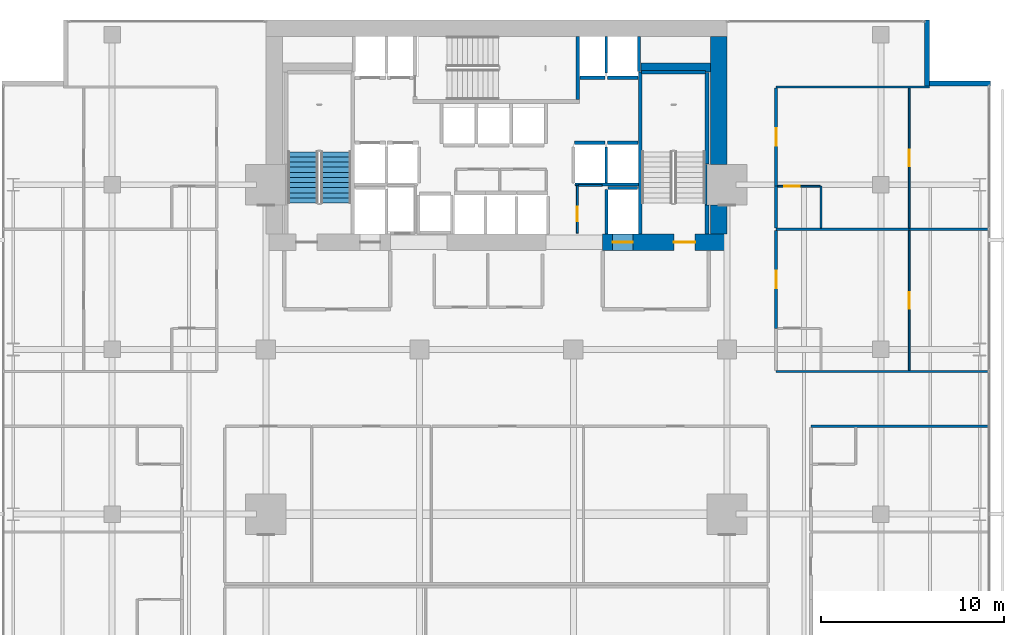
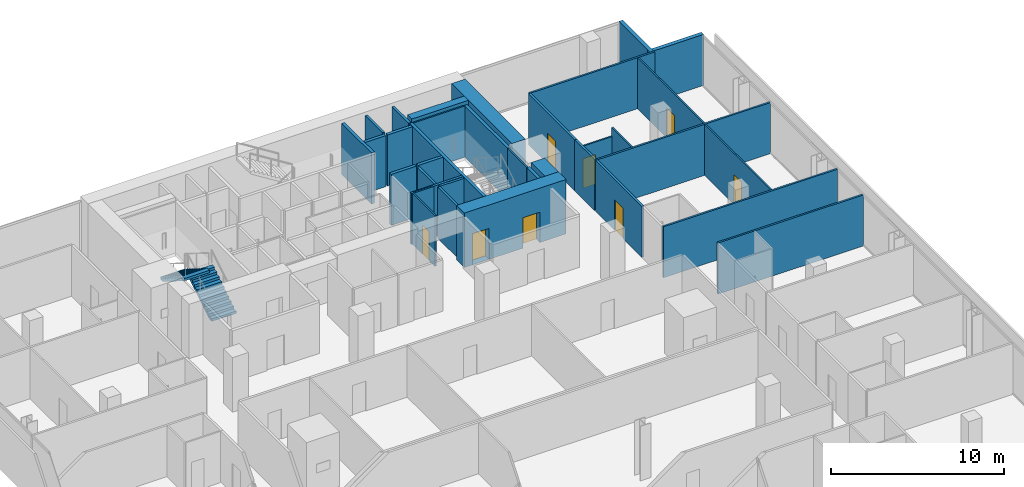
# One storey, part 37 of 40: 35 walls, 8 doors, 2 stair flights, 8 openings, 1 element without a shape of its own.
"""IFC4 building model written with IfcOpenShell, lengths in metres."""

from ifc_helpers import new_model, si_unit, direction, frame, frame_2d, origin, place, context, subcontext, project, spatial, polyline, rectangle, outline, extrude, material, layer, layer_set, type_object, element, fill, aggregate, save


model = new_model("IFC4")

# Units and contexts
model_context = context("Model", 3, precision=1e-05, world=origin(), true_north=direction((0.0, 1.0)))
body_context = subcontext(model_context, "Body", "Model", "MODEL_VIEW")
ifc_project = project(units=[si_unit("LENGTHUNIT", "METRE"), si_unit("AREAUNIT", "SQUARE_METRE"), si_unit("VOLUMEUNIT", "CUBIC_METRE"), si_unit("PLANEANGLEUNIT", "RADIAN"), si_unit("MASSUNIT", "GRAM", prefix="KILO")], contexts=[model_context])

# Site, building, storey
site_placement = place(None, origin())
site = spatial("IfcSite", under=ifc_project, at=site_placement, CompositionType="ELEMENT")
building_placement = place(site_placement, origin())
building = spatial("IfcBuilding", under=site, at=building_placement, Name="Maruvema Waterfront Hotel and Observation Tower", CompositionType="ELEMENT")
storey_placement = place(building_placement, frame((0.0, 0.0, 96.25)))
storey = spatial("IfcBuildingStorey", under=building, at=storey_placement, Name="L23", CompositionType="ELEMENT", Elevation=96.25)

# Wall, opening, door
ifc_material_1 = material(Name="Twin-stud acoustic gypsum drywall", Category="gypsum")
ifc_layer_1 = layer(ifc_material_1, 0.14990234375, Name="Acoustic Corridor and Suite Demising Wall 150 mm")
ifc_layer_set_1 = layer_set([ifc_layer_1], Name="Twin-stud acoustic gypsum drywall")
wall_type_1 = type_object("IfcWallType", Name="Acoustic Corridor and Suite Demising Wall 150 mm", PredefinedType="PARTITIONING", material=ifc_layer_set_1)
wall_1_placement = place(storey_placement, frame((53.080078125, 37.14990234375, 0.0), z_axis=(0.0, 0.0, 1.0), x_axis=(0.0, 1.0, 0.0)))
wall_1 = element("IfcWall", 1, at=wall_1_placement, inside=storey, type_object=wall_type_1, Name="L23 Room L23-NE1 Corridor Wall 109", PredefinedType="PARTITIONING", context=body_context, shape_type="SweptSolid", body=[
    extrude(rectangle(XDim=5.35888671875, YDim=0.14990234375, at=frame_2d((2.679443359375, 0.0))), origin(), (0.0, 0.0, 1.0), 3.610107421875),
])
opening_1_placement = place(wall_1_placement, frame((2.204345703125, 0.0, 0.0)))
opening_1 = element("IfcOpeningElement", 2, at=opening_1_placement, cuts=wall_1, Name="Opening DR-095", PredefinedType="OPENING", context=body_context, shape_type="SweptSolid", body=[
    extrude(rectangle(XDim=0.949951171875, YDim=2.14990234375, at=frame_2d((0.47509765625, 1.074951171875))), frame((0.0, 0.0849609375, 0.0), z_axis=(0.0, -1.0, 0.0), x_axis=(1.0, 0.0, 0.0)), (0.0, 0.0, 1.0), 0.169921875),
])
ifc_material_2 = material(Name="Acoustic solid-core hardwood timber leaf", Category="wood")
door_type_1 = type_object("IfcDoorType", Name="Guestroom Entrance Fire Door 950x2150 mm", OperationType="NOTDEFINED", PredefinedType="DOOR", material=ifc_material_2)
door_1_placement = place(opening_1_placement, frame((0.949951171875, 0.0, 0.0), z_axis=(0.0, 0.0, 1.0), x_axis=(-1.0, 0.0, 0.0)))
door_1 = element("IfcDoor", 3, at=door_1_placement, inside=storey, type_object=door_type_1, Name="L23 Room L23-NE1 Entrance Door", OperationType="SINGLE_SWING_LEFT", OverallHeight=2.14990234375, OverallWidth=0.949951171875, PredefinedType="DOOR", context=body_context, shape_type="SweptSolid", body=[
    extrude(rectangle(XDim=0.949951171875, YDim=2.14990234375, at=frame_2d((0.47509765625, 1.074951171875))), frame((0.0, 0.02490234375, 0.0), z_axis=(0.0, -1.0, 0.0), x_axis=(1.0, 0.0, 0.0)), (0.0, 0.0, 1.0), 0.050048828125),
])
fill(opening_1, door_1)

# Wall
wall_2_placement = place(storey_placement, frame((53.080078125, 42.628662109375, 0.0), z_axis=(0.0, 0.0, 1.0), x_axis=(0.0, 1.0, 0.0)))
element("IfcWall", 4, at=wall_2_placement, inside=storey, type_object=wall_type_1, Name="L23 Bath L23-NE2 Wall 120", PredefinedType="PARTITIONING", context=body_context, shape_type="SweptSolid", body=[
    extrude(rectangle(XDim=2.2900390625, YDim=0.14990234375, at=frame_2d((1.14501953125, 0.0))), origin(), (0.0, 0.0, 1.0), 3.610107421875),
])

# Wall, opening, door
wall_3_placement = place(storey_placement, frame((53.080078125, 44.918701171875, 0.0), z_axis=(0.0, 0.0, 1.0), x_axis=(0.0, 1.0, 0.0)))
wall_3 = element("IfcWall", 5, at=wall_3_placement, inside=storey, type_object=wall_type_1, Name="L23 Room L23-NE2 Corridor Wall 121", PredefinedType="PARTITIONING", context=body_context, shape_type="SweptSolid", body=[
    extrude(rectangle(XDim=5.35888671875, YDim=0.14990234375, at=frame_2d((2.679443359375, 0.0))), origin(), (0.0, 0.0, 1.0), 3.610107421875),
])
opening_2_placement = place(wall_3_placement, frame((2.204345703125, 0.0, 0.0)))
opening_2 = element("IfcOpeningElement", 6, at=opening_2_placement, cuts=wall_3, Name="Opening DR-095", PredefinedType="OPENING", context=body_context, shape_type="SweptSolid", body=[
    extrude(rectangle(XDim=0.949951171875, YDim=2.14990234375, at=frame_2d((0.47509765625, 1.074951171875))), frame((0.0, 0.0849609375, 0.0), z_axis=(0.0, -1.0, 0.0), x_axis=(1.0, 0.0, 0.0)), (0.0, 0.0, 1.0), 0.169921875),
])
door_2_placement = place(opening_2_placement, frame((0.949951171875, 0.0, 0.0), z_axis=(0.0, 0.0, 1.0), x_axis=(-1.0, 0.0, 0.0)))
door_2 = element("IfcDoor", 7, at=door_2_placement, inside=storey, type_object=door_type_1, Name="L23 Room L23-NE2 Entrance Door", OperationType="SINGLE_SWING_LEFT", OverallHeight=2.14990234375, OverallWidth=0.949951171875, PredefinedType="DOOR", context=body_context, shape_type="SweptSolid", body=[
    extrude(rectangle(XDim=0.949951171875, YDim=2.14990234375, at=frame_2d((0.47509765625, 1.074951171875))), frame((0.0, 0.02490234375, 0.0), z_axis=(0.0, -1.0, 0.0), x_axis=(1.0, 0.0, 0.0)), (0.0, 0.0, 1.0), 0.050048828125),
])
fill(opening_2, door_2)

# Walls
ifc_material_3 = material(Name="Precast concrete C45/55", Category="concrete")
ifc_layer_2 = layer(ifc_material_3, 0.199951171875, Name="Core Shaft and Stairwell Enclosure Wall 200 mm")
ifc_layer_set_2 = layer_set([ifc_layer_2], Name="Precast concrete C45/55")
wall_type_2 = type_object("IfcWallType", Name="Core Shaft and Stairwell Enclosure Wall 200 mm", PredefinedType="SOLIDWALL", material=ifc_layer_set_2)
wall_4_placement = place(storey_placement, frame((42.25, 49.64990234375, 0.0), z_axis=(0.0, 0.0, 1.0), x_axis=(0.0, 1.0, 0.0)))
element("IfcWall", 8, at=wall_4_placement, inside=storey, type_object=wall_type_2, Name="L23 Stairwell ST-02 Shaft Wall", PredefinedType="SOLIDWALL", context=body_context, shape_type="SweptSolid", body=[
    extrude(rectangle(XDim=3.4501953125, YDim=0.199951171875, at=frame_2d((1.72509765625, 0.0))), origin(), (0.0, 0.0, 1.0), 3.610107421875),
])
wall_5_placement = place(storey_placement, frame((45.64990234375, 42.300048828125, 0.0), z_axis=(0.0, 0.0, 1.0), x_axis=(0.0, 1.0, 0.0)))
element("IfcWall", 9, at=wall_5_placement, inside=storey, type_object=wall_type_2, Name="L23 Stairwell ST-03 West Shaft Wall", PredefinedType="SOLIDWALL", context=body_context, shape_type="SweptSolid", body=[
    extrude(rectangle(XDim=8.849853515625, YDim=0.199951171875, at=frame_2d((4.4248046875, 0.0))), origin(), (0.0, 0.0, 1.0), 3.610107421875),
])
wall_6_placement = place(storey_placement, frame((49.300048828125, 42.300048828125, 0.0), z_axis=(0.0, 0.0, 1.0), x_axis=(0.0, 1.0, 0.0)))
element("IfcWall", 10, at=wall_6_placement, inside=storey, type_object=wall_type_2, Name="L23 Stairwell ST-03 Shaft Lining Wall", PredefinedType="SOLIDWALL", context=body_context, shape_type="SweptSolid", body=[
    extrude(rectangle(XDim=1.579833984375, YDim=0.199951171875, at=frame_2d((0.7900390625, 0.0))), origin(), (0.0, 0.0, 1.0), 3.610107421875),
])
wall_7_placement = place(storey_placement, frame((49.300048828125, 46.1201171875, 0.0), z_axis=(0.0, 0.0, 1.0), x_axis=(0.0, 1.0, 0.0)))
element("IfcWall", 11, at=wall_7_placement, inside=storey, type_object=wall_type_2, Name="L23 Stairwell ST-03 Shaft Lining Wall", PredefinedType="SOLIDWALL", context=body_context, shape_type="SweptSolid", body=[
    extrude(rectangle(XDim=5.0, YDim=0.199951171875, at=frame_2d((2.5, 0.0))), origin(), (0.0, 0.0, 1.0), 3.610107421875),
])
wall_8_placement = place(storey_placement, frame((45.719970703125, 51.14990234375, 0.0), z_axis=(0.0, 0.0, 1.0), x_axis=(1.0, 0.0, 0.0)))
element("IfcWall", 12, at=wall_8_placement, inside=storey, type_object=wall_type_2, Name="L23 Stairwell ST-03 Shaft Lining Wall", PredefinedType="SOLIDWALL", context=body_context, shape_type="SweptSolid", body=[
    extrude(rectangle(XDim=3.5, YDim=0.199951171875, at=frame_2d((1.75, 0.0))), origin(), (0.0, 0.0, 1.0), 3.610107421875),
])
for number, where, z_axis, x_axis, name in (
    (13, (42.06005859375, 47.300048828125, 0.0), (0.0, 0.0, 1.0), (1.0, 0.0, 0.0), "L23 Lift LF-05 Hoistway Front Wall"),
    (14, (43.860107421875, 47.300048828125, 0.0), (0.0, 0.0, 1.0), (1.0, 0.0, 0.0), "L23 Lift LF-06 Hoistway Front Wall"),
):
    element("IfcWall", number, at=place(storey_placement, frame(where, z_axis=z_axis, x_axis=x_axis)), inside=storey, type_object=wall_type_2, Name=name, PredefinedType="SOLIDWALL", context=body_context, shape_type="SweptSolid", body=[
        extrude(rectangle(XDim=1.679931640625, YDim=0.199951171875, at=frame_2d((0.83984375, 0.0))), origin(), (0.0, 0.0, 1.0), 3.610107421875),
    ])
wall_9_placement = place(storey_placement, frame((42.360107421875, 50.85009765625, 0.0), z_axis=(0.0, 0.0, 1.0), x_axis=(1.0, 0.0, 0.0)))
element("IfcWall", 15, at=wall_9_placement, inside=storey, type_object=wall_type_2, Name="L23 Lift LF-07 Hoistway Front Wall", PredefinedType="SOLIDWALL", context=body_context, shape_type="SweptSolid", body=[
    extrude(rectangle(XDim=1.3798828125, YDim=0.199951171875, at=frame_2d((0.68994140625, 0.0))), origin(), (0.0, 0.0, 1.0), 3.610107421875),
])
wall_10_placement = place(storey_placement, frame((43.860107421875, 50.85009765625, 0.0), z_axis=(0.0, 0.0, 1.0), x_axis=(1.0, 0.0, 0.0)))
element("IfcWall", 16, at=wall_10_placement, inside=storey, type_object=wall_type_2, Name="L23 Lift LF-08 Hoistway Front Wall", PredefinedType="SOLIDWALL", context=body_context, shape_type="SweptSolid", body=[
    extrude(rectangle(XDim=1.679931640625, YDim=0.199951171875, at=frame_2d((0.83984375, 0.0))), origin(), (0.0, 0.0, 1.0), 3.610107421875),
])
ifc_material_4 = material(Name="Concrete C70/85", Category="concrete")
ifc_layer_3 = layer(ifc_material_4, 0.5, Name="Core Shear Wall 500 mm")
ifc_layer_set_3 = layer_set([ifc_layer_3], Name="Concrete C70/85")
wall_type_3 = type_object("IfcWallType", Name="Core Shear Wall 500 mm", PredefinedType="SHEAR", material=ifc_layer_set_3)
wall_11_placement = place(storey_placement, frame((45.699951171875, 51.39990234375, 0.0), z_axis=(0.0, 0.0, 1.0), x_axis=(1.0, 0.0, 0.0)))
element("IfcWall", 17, at=wall_11_placement, inside=storey, type_object=wall_type_3, Name="L23 Internal Core Shear Wall NE 500 mm", PredefinedType="SHEAR", context=body_context, shape_type="SweptSolid", body=[
    extrude(rectangle(XDim=3.800048828125, YDim=0.5, at=frame_2d((1.89990234375, 0.0))), origin(), (0.0, 0.0, 1.0), 3.85009765625),
])

# Wall, openings, doors
ifc_material_5 = material(Name="Concrete C80/95", Category="concrete")
ifc_layer_4 = layer(ifc_material_5, 0.89990234375, Name="Core Shear Wall 900 mm")
ifc_layer_set_4 = layer_set([ifc_layer_4], Name="Concrete C80/95")
wall_type_4 = type_object("IfcWallType", Name="Core Shear Wall 900 mm", PredefinedType="SHEAR", material=ifc_layer_set_4)
wall_12_placement = place(storey_placement, frame((43.60009765625, 41.85009765625, 0.0), z_axis=(0.0, 0.0, 1.0), x_axis=(1.0, 0.0, 0.0)))
wall_12 = element("IfcWall", 18, at=wall_12_placement, inside=storey, type_object=wall_type_4, Name="L23 South-East Core Shear Wall", PredefinedType="SHEAR", context=body_context, shape_type="SweptSolid", body=[
    extrude(rectangle(XDim=6.7998046875, YDim=0.89990234375, at=frame_2d((3.39990234375, 0.0))), origin(), (0.0, 0.0, 1.0), 3.85009765625),
])
opening_3_placement = place(wall_12_placement, frame((3.89990234375, 0.0, 0.0)))
opening_3 = element("IfcOpeningElement", 19, at=opening_3_placement, cuts=wall_12, Name="Opening SD-01", PredefinedType="OPENING", context=body_context, shape_type="SweptSolid", body=[
    extrude(rectangle(XDim=1.14990234375, YDim=2.14990234375, at=frame_2d((0.574951171875, 1.074951171875))), frame((0.0, 0.4599609375, 0.0), z_axis=(0.0, -1.0, 0.0), x_axis=(1.0, 0.0, 0.0)), (0.0, 0.0, 1.0), 0.919921875),
])
opening_4_placement = place(wall_12_placement, frame((0.550048828125, 0.0, 0.0)))
opening_4 = element("IfcOpeningElement", 20, at=opening_4_placement, cuts=wall_12, Name="Opening LD-03", PredefinedType="OPENING", context=body_context, shape_type="SweptSolid", body=[
    extrude(rectangle(XDim=1.10009765625, YDim=2.199951171875, at=frame_2d((0.550048828125, 1.10009765625))), frame((0.0, 0.4599609375, 0.0), z_axis=(0.0, -1.0, 0.0), x_axis=(1.0, 0.0, 0.0)), (0.0, 0.0, 1.0), 0.919921875),
])
ifc_material_6 = material(Name="Fire-rated galvanised steel leaf", Category="steel")
door_type_2 = type_object("IfcDoorType", Name="Exit Stair Fire Door 1150x2150 mm", OperationType="NOTDEFINED", PredefinedType="DOOR", material=ifc_material_6)
door_3_placement = place(opening_3_placement, origin())
door_3 = element("IfcDoor", 21, at=door_3_placement, inside=storey, type_object=door_type_2, Name="L23 Exit Stair ST-03 Fire Door", OperationType="SINGLE_SWING_RIGHT", OverallHeight=2.14990234375, OverallWidth=1.14990234375, PredefinedType="DOOR", context=body_context, shape_type="SweptSolid", body=[
    extrude(rectangle(XDim=1.14990234375, YDim=2.14990234375, at=frame_2d((0.574951171875, 1.074951171875))), frame((0.0, 0.02490234375, 0.0), z_axis=(0.0, -1.0, 0.0), x_axis=(1.0, 0.0, 0.0)), (0.0, 0.0, 1.0), 0.050048828125),
])
fill(opening_3, door_3)
ifc_material_7 = material(Name="Brushed stainless steel Grade 316", Category="steel")
door_type_3 = type_object("IfcDoorType", Name="Firefighting Lift Sliding Landing Door 1100x2200 mm", OperationType="SLIDING_TO_LEFT", PredefinedType="DOOR", material=ifc_material_7)
door_4_placement = place(opening_4_placement, frame((1.10009765625, 0.0, 0.0), z_axis=(0.0, 0.0, 1.0), x_axis=(-1.0, 0.0, 0.0)))
door_4 = element("IfcDoor", 22, at=door_4_placement, inside=storey, type_object=door_type_3, Name="L23 Firefighting Lift FL-02 Landing Door", OperationType="SLIDING_TO_LEFT", OverallHeight=2.199951171875, OverallWidth=1.10009765625, PredefinedType="DOOR", context=body_context, shape_type="SweptSolid", body=[
    extrude(rectangle(XDim=1.10009765625, YDim=2.199951171875, at=frame_2d((0.550048828125, 1.10009765625))), frame((0.0, 0.02490234375, 0.0), z_axis=(0.0, -1.0, 0.0), x_axis=(1.0, 0.0, 0.0)), (0.0, 0.0, 1.0), 0.050048828125),
])
fill(opening_4, door_4)

# Walls
wall_13_placement = place(storey_placement, frame((49.949951171875, 42.300048828125, 0.0), z_axis=(0.0, 0.0, 1.0), x_axis=(0.0, 1.0, 0.0)))
element("IfcWall", 23, at=wall_13_placement, inside=storey, type_object=wall_type_4, Name="L23 East-South Core Shear Wall", PredefinedType="SHEAR", context=body_context, shape_type="SweptSolid", body=[
    extrude(rectangle(XDim=1.599853515625, YDim=0.89990234375, at=frame_2d((0.7998046875, 0.0))), origin(), (0.0, 0.0, 1.0), 3.85009765625),
])
wall_14_placement = place(storey_placement, frame((49.949951171875, 46.10009765625, 0.0), z_axis=(0.0, 0.0, 1.0), x_axis=(0.0, 1.0, 0.0)))
element("IfcWall", 24, at=wall_14_placement, inside=storey, type_object=wall_type_4, Name="L23 East-North Core Shear Wall", PredefinedType="SHEAR", context=body_context, shape_type="SweptSolid", body=[
    extrude(rectangle(XDim=7.0, YDim=0.89990234375, at=frame_2d((3.5, 0.0))), origin(), (0.0, 0.0, 1.0), 3.85009765625),
])

# Wall, opening, door
ifc_material_8 = material(Name="Moisture-resistant cement-board drywall", Category="gypsum")
ifc_layer_5 = layer(ifc_material_8, 0.10009765625, Name="En-Suite Moisture-Resistant Partition 100 mm")
ifc_layer_set_5 = layer_set([ifc_layer_5], Name="Moisture-resistant cement-board drywall")
wall_type_5 = type_object("IfcWallType", Name="En-Suite Moisture-Resistant Partition 100 mm", PredefinedType="PARTITIONING", material=ifc_layer_set_5)
wall_15_placement = place(storey_placement, frame((42.219970703125, 42.35009765625, 0.0), z_axis=(0.0, 0.0, 1.0), x_axis=(0.0, 1.0, 0.0)))
wall_15 = element("IfcWall", 25, at=wall_15_placement, inside=storey, type_object=wall_type_5, Name="L23 Core Closet K2C West 015", PredefinedType="PARTITIONING", context=body_context, shape_type="SweptSolid", body=[
    extrude(rectangle(XDim=2.60986328125, YDim=0.10009765625, at=frame_2d((1.304931640625, 0.0))), origin(), (0.0, 0.0, 1.0), 3.610107421875),
])
opening_5_placement = place(wall_15_placement, frame((0.64990234375, 0.0, 0.0)))
opening_5 = element("IfcOpeningElement", 26, at=opening_5_placement, cuts=wall_15, Name="Opening DR-080", PredefinedType="OPENING", context=body_context, shape_type="SweptSolid", body=[
    extrude(rectangle(XDim=0.800048828125, YDim=2.050048828125, at=frame_2d((0.39990234375, 1.02490234375))), frame((0.0, 0.06005859375, 0.0), z_axis=(0.0, -1.0, 0.0), x_axis=(1.0, 0.0, 0.0)), (0.0, 0.0, 1.0), 0.1201171875),
])
ifc_material_9 = material(Name="Powder-coated steel access leaf", Category="steel")
door_type_4 = type_object("IfcDoorType", Name="Riser and Service Cupboard Door 800x2050 mm", OperationType="NOTDEFINED", PredefinedType="DOOR", material=ifc_material_9)
door_5_placement = place(opening_5_placement, frame((0.800048828125, 0.0, 0.0), z_axis=(0.0, 0.0, 1.0), x_axis=(-1.0, 0.0, 0.0)))
door_5 = element("IfcDoor", 27, at=door_5_placement, inside=storey, type_object=door_type_4, Name="L23 Core Housekeeping Closet Door", OperationType="SINGLE_SWING_RIGHT", OverallHeight=2.050048828125, OverallWidth=0.800048828125, PredefinedType="DOOR", context=body_context, shape_type="SweptSolid", body=[
    extrude(rectangle(XDim=0.800048828125, YDim=2.050048828125, at=frame_2d((0.39990234375, 1.02490234375))), frame((0.0, 0.02490234375, 0.0), z_axis=(0.0, -1.0, 0.0), x_axis=(1.0, 0.0, 0.0)), (0.0, 0.0, 1.0), 0.050048828125),
])
fill(opening_5, door_5)

# Wall
wall_16_placement = place(storey_placement, frame((42.280029296875, 44.9599609375, 0.0), z_axis=(0.0, 0.0, 1.0), x_axis=(1.0, 0.0, 0.0)))
element("IfcWall", 28, at=wall_16_placement, inside=storey, type_object=wall_type_5, Name="L23 Core Closet K2C North 016", PredefinedType="PARTITIONING", context=body_context, shape_type="SweptSolid", body=[
    extrude(rectangle(XDim=1.300048828125, YDim=0.10009765625, at=frame_2d((0.64990234375, 0.0))), origin(), (0.0, 0.0, 1.0), 3.610107421875),
])

# Wall, opening, door
wall_17_placement = place(storey_placement, frame((60.350341796875, 34.860107421875, 0.0), z_axis=(0.0, 0.0, 1.0), x_axis=(0.0, 1.0, 0.0)))
wall_17 = element("IfcWall", 29, at=wall_17_placement, inside=storey, type_object=wall_type_5, Name="L23 Suite L23-NE1 Split 112", PredefinedType="PARTITIONING", context=body_context, shape_type="SweptSolid", body=[
    extrude(rectangle(XDim=7.648681640625, YDim=0.10009765625, at=frame_2d((3.82421875, 0.0))), origin(), (0.0, 0.0, 1.0), 3.610107421875),
])
opening_6_placement = place(wall_17_placement, frame((3.374267578125, 0.0, 0.0)))
opening_6 = element("IfcOpeningElement", 30, at=opening_6_placement, cuts=wall_17, Name="Opening DR-090", PredefinedType="OPENING", context=body_context, shape_type="SweptSolid", body=[
    extrude(rectangle(XDim=0.89990234375, YDim=2.10009765625, at=frame_2d((0.449951171875, 1.050048828125))), frame((0.0, 0.06005859375, 0.0), z_axis=(0.0, -1.0, 0.0), x_axis=(1.0, 0.0, 0.0)), (0.0, 0.0, 1.0), 0.1201171875),
])
ifc_material_10 = material(Name="Solid-core lacquered timber leaf", Category="wood")
door_type_5 = type_object("IfcDoorType", Name="Accessible Toilet and Room Door 900x2100 mm", OperationType="NOTDEFINED", PredefinedType="DOOR", material=ifc_material_10)
door_6_placement = place(opening_6_placement, frame((0.89990234375, 0.0, 0.0), z_axis=(0.0, 0.0, 1.0), x_axis=(-1.0, 0.0, 0.0)))
door_6 = element("IfcDoor", 31, at=door_6_placement, inside=storey, type_object=door_type_5, Name="L23 Suite L23-NE1 Bedroom Door", OperationType="SINGLE_SWING_RIGHT", OverallHeight=2.10009765625, OverallWidth=0.89990234375, PredefinedType="DOOR", context=body_context, shape_type="SweptSolid", body=[
    extrude(rectangle(XDim=0.89990234375, YDim=2.10009765625, at=frame_2d((0.449951171875, 1.050048828125))), frame((0.0, 0.02490234375, 0.0), z_axis=(0.0, -1.0, 0.0), x_axis=(1.0, 0.0, 0.0)), (0.0, 0.0, 1.0), 0.050048828125),
])
fill(opening_6, door_6)

# Wall
wall_18_placement = place(storey_placement, frame((55.530029296875, 42.628662109375, 0.0), z_axis=(0.0, 0.0, 1.0), x_axis=(0.0, 1.0, 0.0)))
element("IfcWall", 32, at=wall_18_placement, inside=storey, type_object=wall_type_5, Name="L23 En-Suite L23-NE2 E 122", PredefinedType="PARTITIONING", context=body_context, shape_type="SweptSolid", body=[
    extrude(rectangle(XDim=2.2900390625, YDim=0.10009765625, at=frame_2d((1.14501953125, 0.0))), origin(), (0.0, 0.0, 1.0), 3.610107421875),
])

# Wall, opening, door
wall_19_placement = place(storey_placement, frame((53.179931640625, 44.918701171875, 0.0), z_axis=(0.0, 0.0, 1.0), x_axis=(1.0, 0.0, 0.0)))
wall_19 = element("IfcWall", 33, at=wall_19_placement, inside=storey, type_object=wall_type_5, Name="L23 En-Suite L23-NE2 N 123", PredefinedType="PARTITIONING", context=body_context, shape_type="SweptSolid", body=[
    extrude(rectangle(XDim=2.300048828125, YDim=0.10009765625, at=frame_2d((1.14990234375, 0.0))), origin(), (0.0, 0.0, 1.0), 2.9990234375),
])
opening_7_placement = place(wall_19_placement, frame((0.35009765625, 0.0, 0.0)))
opening_7 = element("IfcOpeningElement", 34, at=opening_7_placement, cuts=wall_19, Name="Opening DR-085", PredefinedType="OPENING", context=body_context, shape_type="SweptSolid", body=[
    extrude(rectangle(XDim=0.85009765625, YDim=2.10009765625, at=frame_2d((0.425048828125, 1.050048828125))), frame((0.0, 0.06005859375, 0.0), z_axis=(0.0, -1.0, 0.0), x_axis=(1.0, 0.0, 0.0)), (0.0, 0.0, 1.0), 0.1201171875),
])
ifc_material_11 = material(Name="Moisture-resistant solid timber leaf", Category="wood")
door_type_6 = type_object("IfcDoorType", Name="En-Suite Bathroom Door 850x2100 mm", OperationType="NOTDEFINED", PredefinedType="DOOR", material=ifc_material_11)
door_7_placement = place(opening_7_placement, origin())
door_7 = element("IfcDoor", 35, at=door_7_placement, inside=storey, type_object=door_type_6, Name="L23 En-Suite L23-NE2 Door", OperationType="SINGLE_SWING_RIGHT", OverallHeight=2.10009765625, OverallWidth=0.85009765625, PredefinedType="DOOR", context=body_context, shape_type="SweptSolid", body=[
    extrude(rectangle(XDim=0.85009765625, YDim=2.10009765625, at=frame_2d((0.425048828125, 1.050048828125))), frame((0.0, 0.02490234375, 0.0), z_axis=(0.0, -1.0, 0.0), x_axis=(1.0, 0.0, 0.0)), (0.0, 0.0, 1.0), 0.050048828125),
])
fill(opening_7, door_7)

wall_20_placement = place(storey_placement, frame((60.350341796875, 42.628662109375, 0.0), z_axis=(0.0, 0.0, 1.0), x_axis=(0.0, 1.0, 0.0)))
wall_20 = element("IfcWall", 36, at=wall_20_placement, inside=storey, type_object=wall_type_5, Name="L23 Suite L23-NE2 Split 124", PredefinedType="PARTITIONING", context=body_context, shape_type="SweptSolid", body=[
    extrude(rectangle(XDim=7.64892578125, YDim=0.10009765625, at=frame_2d((3.824462890625, 0.0))), origin(), (0.0, 0.0, 1.0), 3.610107421875),
])
opening_8_placement = place(wall_20_placement, frame((3.37451171875, 0.0, 0.0)))
opening_8 = element("IfcOpeningElement", 37, at=opening_8_placement, cuts=wall_20, Name="Opening DR-090", PredefinedType="OPENING", context=body_context, shape_type="SweptSolid", body=[
    extrude(rectangle(XDim=0.89990234375, YDim=2.10009765625, at=frame_2d((0.449951171875, 1.050048828125))), frame((0.0, 0.06005859375, 0.0), z_axis=(0.0, -1.0, 0.0), x_axis=(1.0, 0.0, 0.0)), (0.0, 0.0, 1.0), 0.1201171875),
])
door_8_placement = place(opening_8_placement, frame((0.89990234375, 0.0, 0.0), z_axis=(0.0, 0.0, 1.0), x_axis=(-1.0, 0.0, 0.0)))
door_8 = element("IfcDoor", 38, at=door_8_placement, inside=storey, type_object=door_type_5, Name="L23 Suite L23-NE2 Bedroom Door", OperationType="SINGLE_SWING_RIGHT", OverallHeight=2.10009765625, OverallWidth=0.89990234375, PredefinedType="DOOR", context=body_context, shape_type="SweptSolid", body=[
    extrude(rectangle(XDim=0.89990234375, YDim=2.10009765625, at=frame_2d((0.449951171875, 1.050048828125))), frame((0.0, 0.02490234375, 0.0), z_axis=(0.0, -1.0, 0.0), x_axis=(1.0, 0.0, 0.0)), (0.0, 0.0, 1.0), 0.050048828125),
])
fill(opening_8, door_8)

# Walls
ifc_material_12 = material(Name="Precast concrete C45/55 with honed Pernambuco granite facing", Category="masonry")
ifc_layer_6 = layer(ifc_material_12, 0.260009765625, Name="Exterior Granite Clad Spandrel and Pier Wall 260 mm")
ifc_layer_set_6 = layer_set([ifc_layer_6], Name="Precast concrete C45/55 with honed Pernambuco granite facing")
wall_type_6 = type_object("IfcWallType", Name="Exterior Granite Clad Spandrel and Pier Wall 260 mm", PredefinedType="SOLIDWALL", material=ifc_layer_set_6)
for number, where, z_axis, x_axis, name in (
    (39, (61.330078125, 54.0, 0.0), (0.0, 0.0, 1.0), (0.0, -1.0, 0.0), "L23 Corner Notch Granite Pier Wall NE1"),
    (40, (61.199951171875, 50.530029296875, 0.0), (0.0, 0.0, 1.0), (1.0, 0.0, 0.0), "L23 Corner Notch Granite Pier Wall NE2"),
):
    element("IfcWall", number, at=place(storey_placement, frame(where, z_axis=z_axis, x_axis=x_axis)), inside=storey, type_object=wall_type_6, Name=name, PredefinedType="SOLIDWALL", context=body_context, shape_type="SweptSolid", body=[
        extrude(rectangle(XDim=3.60009765625, YDim=0.260009765625, at=frame_2d((1.800048828125, 0.0))), origin(), (0.0, 0.0, 1.0), 3.610107421875),
    ])
ifc_material_13 = material(Name="Acoustic gypsum plasterboard drywall", Category="gypsum")
ifc_layer_7 = layer(ifc_material_13, 0.125, Name="Guestroom Acoustic Demising Wall 125 mm")
ifc_layer_set_7 = layer_set([ifc_layer_7], Name="Acoustic gypsum plasterboard drywall")
wall_type_7 = type_object("IfcWallType", Name="Guestroom Acoustic Demising Wall 125 mm", PredefinedType="PARTITIONING", material=ifc_layer_set_7)
wall_21_placement = place(storey_placement, frame((54.97998046875, 31.800048828125, 0.0), z_axis=(0.0, 0.0, 1.0), x_axis=(1.0, 0.0, 0.0)))
element("IfcWall", 41, at=wall_21_placement, inside=storey, type_object=wall_type_7, Name="L23 E Top End 070", PredefinedType="PARTITIONING", context=body_context, shape_type="SweptSolid", body=[
    extrude(rectangle(XDim=9.719970703125, YDim=0.125, at=frame_2d((4.85986328125, 0.0))), origin(), (0.0, 0.0, 1.0), 3.610107421875),
])
wall_22_placement = place(storey_placement, frame((53.080078125, 34.800048828125, 0.0), z_axis=(0.0, 0.0, 1.0), x_axis=(1.0, 0.0, 0.0)))
element("IfcWall", 42, at=wall_22_placement, inside=storey, type_object=wall_type_7, Name="L23 NE Bot End 100", PredefinedType="PARTITIONING", context=body_context, shape_type="SweptSolid", body=[
    extrude(rectangle(XDim=11.619873046875, YDim=0.125, at=frame_2d((5.81005859375, 0.0))), origin(), (0.0, 0.0, 1.0), 3.610107421875),
])
wall_23_placement = place(storey_placement, frame((53.080078125, 50.33740234375, 0.0), z_axis=(0.0, 0.0, 1.0), x_axis=(1.0, 0.0, 0.0)))
element("IfcWall", 43, at=wall_23_placement, inside=storey, type_object=wall_type_7, Name="L23 NE Top End 102", PredefinedType="PARTITIONING", context=body_context, shape_type="SweptSolid", body=[
    extrude(rectangle(XDim=8.3798828125, YDim=0.125, at=frame_2d((4.18994140625, 0.0))), origin(), (0.0, 0.0, 1.0), 3.610107421875),
])
wall_24_placement = place(storey_placement, frame((53.080078125, 42.568603515625, 0.0), z_axis=(0.0, 0.0, 1.0), x_axis=(1.0, 0.0, 0.0)))
element("IfcWall", 44, at=wall_24_placement, inside=storey, type_object=wall_type_7, Name="L23 NE Demising 2 114", PredefinedType="PARTITIONING", context=body_context, shape_type="SweptSolid", body=[
    extrude(rectangle(XDim=11.619873046875, YDim=0.125, at=frame_2d((5.81005859375, 0.0))), origin(), (0.0, 0.0, 1.0), 3.610107421875),
])
ifc_material_14 = material(Name="Precast concrete C45/55", Category="concrete")
ifc_layer_8 = layer(ifc_material_14, 0.159912109375, Name="Lift Hoistway Divider Wall 160 mm")
ifc_layer_set_8 = layer_set([ifc_layer_8], Name="Precast concrete C45/55")
wall_type_8 = type_object("IfcWallType", Name="Lift Hoistway Divider Wall 160 mm", PredefinedType="SOLIDWALL", material=ifc_layer_set_8)
wall_25_placement = place(storey_placement, frame((43.89990234375, 44.830078125, 0.0), z_axis=(0.0, 0.0, 1.0), x_axis=(1.0, 0.0, 0.0)))
element("IfcWall", 45, at=wall_25_placement, inside=storey, type_object=wall_type_8, Name="L23 Lift FL-02 Rear Hoistway Wall", PredefinedType="SOLIDWALL", context=body_context, shape_type="SweptSolid", body=[
    extrude(rectangle(XDim=1.60009765625, YDim=0.159912109375, at=frame_2d((0.800048828125, 0.0))), origin(), (0.0, 0.0, 1.0), 3.610107421875),
])
wall_26_placement = place(storey_placement, frame((43.820068359375, 42.300048828125, 0.0), z_axis=(0.0, 0.0, 1.0), x_axis=(0.0, 1.0, 0.0)))
element("IfcWall", 46, at=wall_26_placement, inside=storey, type_object=wall_type_8, Name="L23 Lift FL-02 Inner Hoistway Wall", PredefinedType="SOLIDWALL", context=body_context, shape_type="SweptSolid", body=[
    extrude(rectangle(XDim=2.43994140625, YDim=0.159912109375, at=frame_2d((1.219970703125, 0.0))), origin(), (0.0, 0.0, 1.0), 3.610107421875),
])
wall_27_placement = place(storey_placement, frame((43.800048828125, 45.10009765625, 0.0), z_axis=(0.0, 0.0, 1.0), x_axis=(0.0, 1.0, 0.0)))
element("IfcWall", 47, at=wall_27_placement, inside=storey, type_object=wall_type_8, Name="L23 Hoistway Divider Wall", PredefinedType="SOLIDWALL", context=body_context, shape_type="SweptSolid", body=[
    extrude(rectangle(XDim=1.949951171875, YDim=0.159912109375, at=frame_2d((0.97509765625, 0.0))), origin(), (0.0, 0.0, 1.0), 3.610107421875),
])
wall_28_placement = place(storey_placement, frame((42.10009765625, 45.010009765625, 0.0), z_axis=(0.0, 0.0, 1.0), x_axis=(1.0, 0.0, 0.0)))
element("IfcWall", 48, at=wall_28_placement, inside=storey, type_object=wall_type_8, Name="L23 Hoistway Divider Wall", PredefinedType="SOLIDWALL", context=body_context, shape_type="SweptSolid", body=[
    extrude(rectangle(XDim=3.449951171875, YDim=0.159912109375, at=frame_2d((1.72509765625, 0.0))), origin(), (0.0, 0.0, 1.0), 3.610107421875),
])
wall_29_placement = place(storey_placement, frame((45.590087890625, 51.179931640625, 0.0), z_axis=(0.0, 0.0, 1.0), x_axis=(0.0, 1.0, 0.0)))
element("IfcWall", 49, at=wall_29_placement, inside=storey, type_object=wall_type_8, Name="L23 Hoistway Divider Wall", PredefinedType="SOLIDWALL", context=body_context, shape_type="SweptSolid", body=[
    extrude(rectangle(XDim=1.920166015625, YDim=0.159912109375, at=frame_2d((0.9599609375, 0.0))), origin(), (0.0, 0.0, 1.0), 3.610107421875),
])
wall_30_placement = place(storey_placement, frame((43.800048828125, 51.10009765625, 0.0), z_axis=(0.0, 0.0, 1.0), x_axis=(0.0, 1.0, 0.0)))
element("IfcWall", 50, at=wall_30_placement, inside=storey, type_object=wall_type_8, Name="L23 Hoistway Divider Wall", PredefinedType="SOLIDWALL", context=body_context, shape_type="SweptSolid", body=[
    extrude(rectangle(XDim=2.0, YDim=0.159912109375, at=frame_2d((1.0, 0.0))), origin(), (0.0, 0.0, 1.0), 3.610107421875),
])
ifc_material_15 = material(Name="Precast concrete C45/55", Category="concrete")
ifc_layer_9 = layer(ifc_material_15, 0.10009765625, Name="Stairwell Stringer Cheek Wall 100 mm")
ifc_layer_set_9 = layer_set([ifc_layer_9], Name="Precast concrete C45/55")
wall_type_9 = type_object("IfcWallType", Name="Stairwell Stringer Cheek Wall 100 mm", PredefinedType="SOLIDWALL", material=ifc_layer_set_9)
wall_31_placement = place(storey_placement, frame((49.248046875, 43.89990234375, 0.0), z_axis=(0.0, 0.0, 1.0), x_axis=(0.0, 1.0, 0.0)))
element("IfcWall", 51, at=wall_31_placement, inside=storey, type_object=wall_type_9, Name="L23 Stairwell ST-03 Mega-Column Cheek Wall", PredefinedType="SOLIDWALL", context=body_context, shape_type="SweptSolid", body=[
    extrude(rectangle(XDim=2.2001953125, YDim=0.10009765625, at=frame_2d((1.10009765625, 0.0))), origin(), (0.0, 0.0, 1.0), 3.610107421875),
])

# Stair, stair flights
ifc_material_16 = material(Name="Concrete C50/60", Category="concrete")
stair_type = type_object("IfcStairType", Name="Dogleg Exit Stair 1650 mm (22R x 175.0 mm)", PredefinedType="HALF_TURN_STAIR", material=ifc_material_16)
stair_placement = place(storey_placement, origin())
stair = element("IfcStair", 52, at=stair_placement, inside=storey, type_object=stair_type, Name="L23 ST-01", PredefinedType="HALF_TURN_STAIR")
ifc_material_17 = material(Name="Concrete C50/60", Category="concrete")
stair_flight_type = type_object("IfcStairFlightType", Name="Reinforced Concrete Stair Flight 1650 mm (11R x 175.0 mm)", PredefinedType="STRAIGHT", material=ifc_material_17)
stair_flight_1_placement = place(storey_placement, frame((29.02490234375, 44.0, 0.0), z_axis=(0.0, 0.0, 1.0), x_axis=(0.0, 1.0, 0.0)))
stair_flight_1 = element("IfcStairFlight", 53, at=stair_flight_1_placement, type_object=stair_flight_type, Name="ST-01 flight 1", NumberOfRisers=11, NumberOfTreads=10, PredefinedType="STRAIGHT", RiserHeight=0.175, TreadLength=0.28, context=body_context, shape_type="SweptSolid", body=[
    extrude(outline(polyline([(0.0, 0.0), (0.0, 0.175048828125), (0.280029296875, 0.175048828125), (0.280029296875, 0.35009765625), (0.56005859375, 0.35009765625), (0.56005859375, 0.52490234375), (0.840087890625, 0.52490234375), (0.840087890625, 0.699951171875), (1.1201171875, 0.699951171875), (1.1201171875, 0.875), (1.39990234375, 0.875), (1.39990234375, 1.050048828125), (1.679931640625, 1.050048828125), (1.679931640625, 1.22509765625), (1.9599609375, 1.22509765625), (1.9599609375, 1.39990234375), (2.239990234375, 1.39990234375), (2.239990234375, 1.574951171875), (2.52001953125, 1.574951171875), (2.52001953125, 1.75), (2.800048828125, 1.75), (2.800048828125, 1.925048828125), (2.800048828125, 1.5732421875), (0.28271484375, 0.0), (0.0, 0.0)])), frame((0.0, 0.824951171875, 0.0), z_axis=(0.0, -1.0, 0.0), x_axis=(1.0, 0.0, 0.0)), (0.0, 0.0, 1.0), 1.64990234375),
])
stair_flight_2_placement = place(storey_placement, frame((27.22509765625, 46.800048828125, 1.925048828125), z_axis=(0.0, 0.0, 1.0), x_axis=(0.0, -1.0, 0.0)))
stair_flight_2 = element("IfcStairFlight", 54, at=stair_flight_2_placement, type_object=stair_flight_type, Name="ST-01 flight 2", NumberOfRisers=11, NumberOfTreads=10, PredefinedType="STRAIGHT", RiserHeight=0.175, TreadLength=0.28, context=body_context, shape_type="SweptSolid", body=[
    extrude(outline(polyline([(0.0, 0.0), (0.0, 0.175048828125), (0.280029296875, 0.175048828125), (0.280029296875, 0.35009765625), (0.56005859375, 0.35009765625), (0.56005859375, 0.52490234375), (0.840087890625, 0.52490234375), (0.840087890625, 0.699951171875), (1.1201171875, 0.699951171875), (1.1201171875, 0.875), (1.39990234375, 0.875), (1.39990234375, 1.050048828125), (1.679931640625, 1.050048828125), (1.679931640625, 1.22509765625), (1.9599609375, 1.22509765625), (1.9599609375, 1.39990234375), (2.239990234375, 1.39990234375), (2.239990234375, 1.574951171875), (2.52001953125, 1.574951171875), (2.52001953125, 1.75), (2.800048828125, 1.75), (2.800048828125, 1.925048828125), (2.800048828125, 1.5732421875), (0.28271484375, 0.0), (0.0, 0.0)])), frame((0.0, 0.824951171875, 0.0), z_axis=(0.0, -1.0, 0.0), x_axis=(1.0, 0.0, 0.0)), (0.0, 0.0, 1.0), 1.64990234375),
])
aggregate(stair, [stair_flight_1, stair_flight_2])

save(model, "model.ifc")
